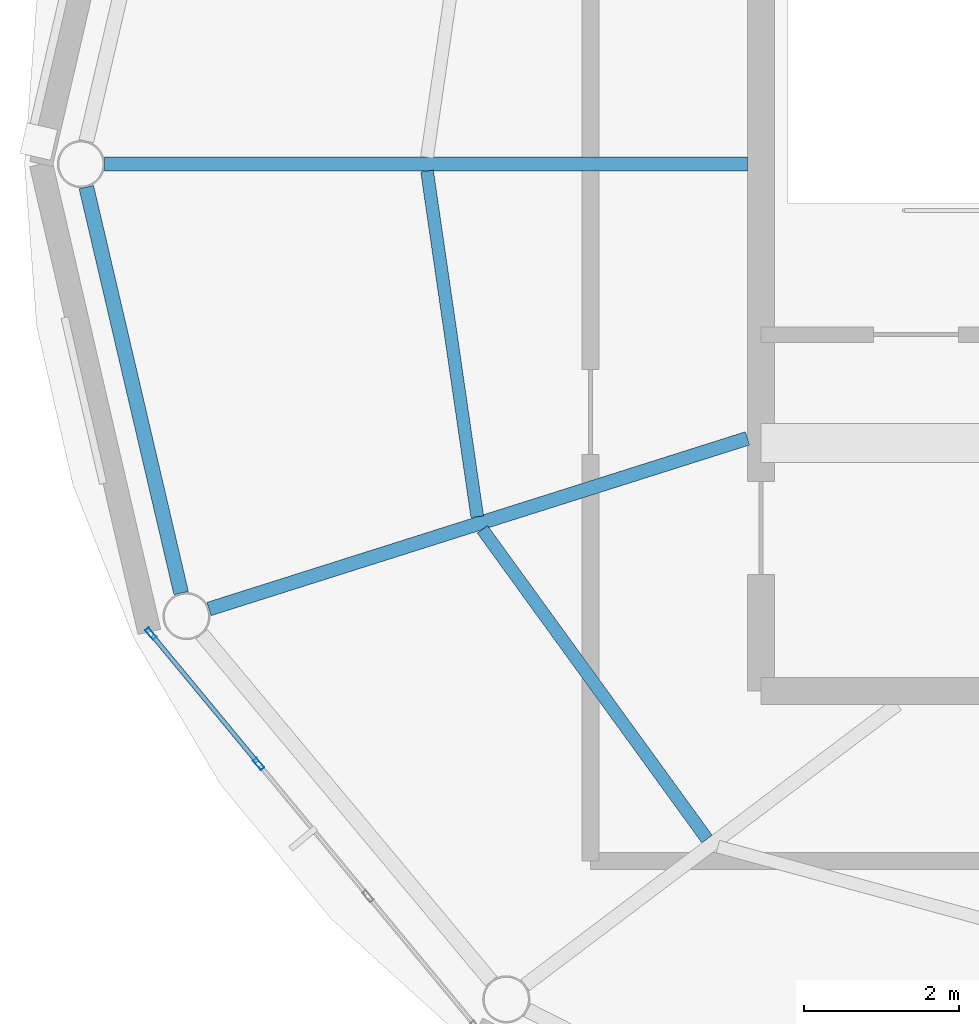
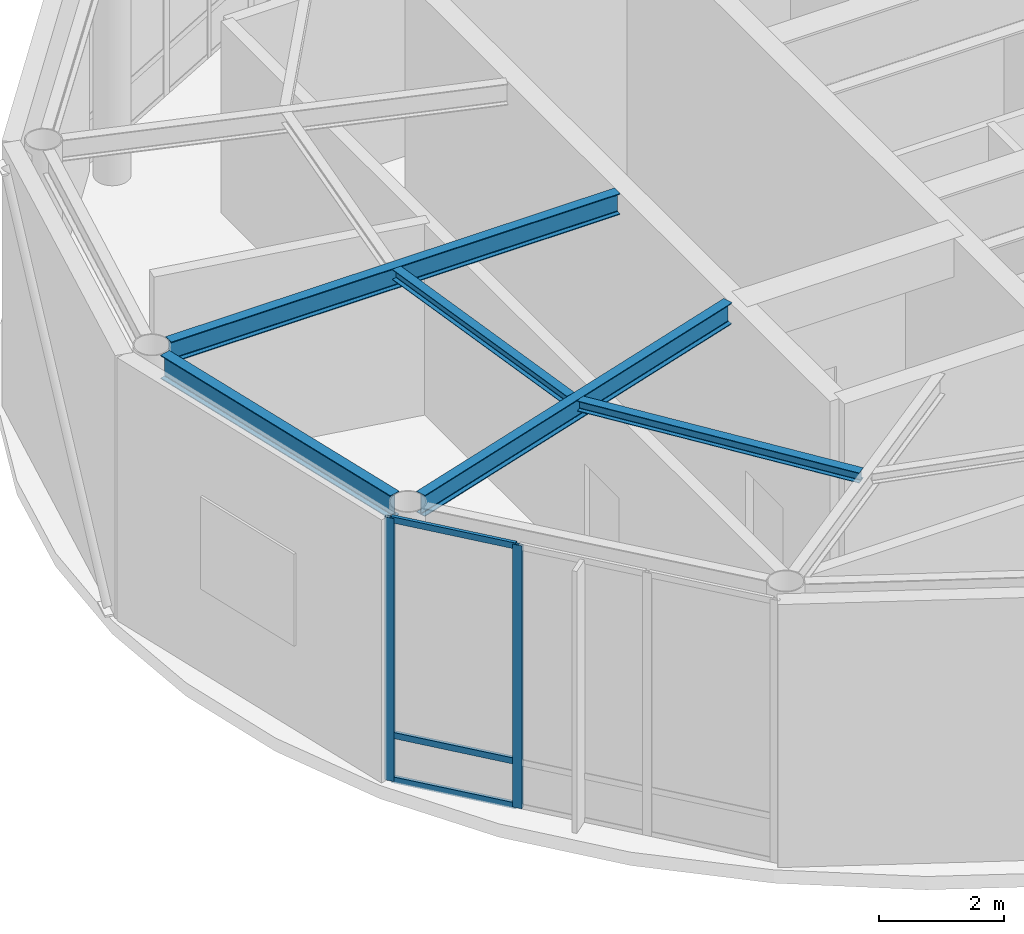
# One storey, part 3 of 14: 5 beams, 5 members, 1 element without a shape of its own.
"""IFC4 building model written with IfcOpenShell, lengths in metres."""

import ifcopenshell
import ifcopenshell.guid

model = None  # the IFC model being written
_history = None  # IfcOwnerHistory: only IFC2X3 demands one
_inside = {}  # id of a spatial element -> (the spatial element, [elements in it])
_under = {}  # id of a project, library or spatial element -> (it, [spatial elements below it])
_declared = {}  # id of a project -> (the project, [libraries it declares])
_typed = {}  # id of a type object -> (the type object, [elements of that type])
_made_of = {}  # id of a material, layer set ... -> (it, [elements and type objects made of it])


def new_model(schema):
    """Start an empty IFC model of exactly this schema.

    Asked for "IFC4X3", IfcOpenShell would pick the latest addendum, in which some entities
    have other attributes; the version numbers below select the first issue.
    IFC2X3 requires an IfcOwnerHistory on every rooted entity: one is made here for all.
    """
    global model, _history
    if schema == "IFC4X3":
        model = ifcopenshell.file(schema_version=(4, 3, 0, 0))
    else:
        model = ifcopenshell.file(schema=schema)
    _inside.clear()
    _under.clear()
    _declared.clear()
    _typed.clear()
    _made_of.clear()
    _history = None
    if model.schema == "IFC2X3":
        org = make("IfcOrganization", Name="unknown")
        user = make(
            "IfcPersonAndOrganization",
            ThePerson=make("IfcPerson", FamilyName="unknown"),
            TheOrganization=org,
        )
        app = make(
            "IfcApplication",
            ApplicationDeveloper=org,
            Version="unknown",
            ApplicationFullName="unknown",
            ApplicationIdentifier="unknown",
        )
        _history = make(
            "IfcOwnerHistory",
            OwningUser=user,
            OwningApplication=app,
            ChangeAction="ADDED",
            CreationDate=0,
        )
    return model


def make(cls, **values):
    """One entity of the class cls with the attributes given. An attribute that is None is left unset."""
    return model.create_entity(
        cls, **{name: value for name, value in values.items() if value is not None}
    )


def rooted(cls, **values):
    """An entity with a GlobalId (a new one), such as an element, a storey or a relation."""
    return make(cls, GlobalId=ifcopenshell.guid.new(), OwnerHistory=_history, **values)


def si_unit(unit_type, name, prefix=None):
    """IfcSIUnit, for example si_unit("LENGTHUNIT", "METRE", prefix="MILLI")."""
    return make("IfcSIUnit", UnitType=unit_type, Prefix=prefix, Name=name)


def assignment(units):
    """IfcUnitAssignment: the units of a project."""
    return None if units is None else make("IfcUnitAssignment", Units=units)


def point(xyz):
    """IfcCartesianPoint."""
    return None if xyz is None else make("IfcCartesianPoint", Coordinates=xyz)


def direction(xyz):
    """IfcDirection."""
    return None if xyz is None else make("IfcDirection", DirectionRatios=xyz)


def frame(location, z_axis=None, x_axis=None):
    """IfcAxis2Placement3D, a coordinate frame: its origin and axes. An axis left out is left unset."""
    return make(
        "IfcAxis2Placement3D",
        Location=point(location),
        Axis=direction(z_axis),
        RefDirection=direction(x_axis),
    )


def frame_2d(location, x_axis=None):
    """IfcAxis2Placement2D, a coordinate frame in the plane: its origin and x axis."""
    return make(
        "IfcAxis2Placement2D", Location=point(location), RefDirection=direction(x_axis)
    )


def origin():
    """The frame at (0, 0, 0) with its axes left unset."""
    return frame((0.0, 0.0, 0.0))


def origin_2d():
    """The frame at (0, 0) in the plane with its x axis left unset."""
    return frame_2d((0.0, 0.0))


def place(relative_to, where):
    """IfcLocalPlacement: puts the frame where relative to a parent placement (None: the world)."""
    return make(
        "IfcLocalPlacement", PlacementRelTo=relative_to, RelativePlacement=where
    )


def context(
    kind, dimensions, precision=None, world=None, true_north=None, identifier=None
):
    """IfcGeometricRepresentationContext, for example the 3D "Model" context."""
    return make(
        "IfcGeometricRepresentationContext",
        ContextIdentifier=identifier,
        ContextType=kind,
        CoordinateSpaceDimension=dimensions,
        Precision=precision,
        WorldCoordinateSystem=world,
        TrueNorth=true_north,
    )


def subcontext(parent, identifier, kind, view, scale=None):
    """IfcGeometricRepresentationSubContext, for example "Body" below "Model"."""
    return make(
        "IfcGeometricRepresentationSubContext",
        ContextIdentifier=identifier,
        ContextType=kind,
        ParentContext=parent,
        TargetScale=scale,
        TargetView=view,
    )


def project(units=None, contexts=None):
    """IfcProject with its units and contexts."""
    return rooted(
        "IfcProject",
        Name="project",
        RepresentationContexts=contexts,
        UnitsInContext=assignment(units),
    )


def spatial(cls, under=None, at=None, **own):
    """A site, building, storey or space (cls), placed at a placement, below another one or the project."""
    s = rooted(cls, ObjectPlacement=at, **own)
    if under is not None:
        _under.setdefault(under.id(), (under, []))[1].append(s)
    return s


def profile(cls, at=None, kind="AREA", **sizes):
    """A parametric profile (cls). Its sizes go by their IFC names, for example OverallWidth=200.0."""
    return make(cls, ProfileType=kind, Position=at, **sizes)


def hollow_rectangle(**sizes):
    """IfcRectangleHollowProfileDef."""
    return profile("IfcRectangleHollowProfileDef", **sizes)


def i_section(**sizes):
    """IfcIShapeProfileDef."""
    return profile("IfcIShapeProfileDef", **sizes)


def extrude(swept, where, along, depth):
    """IfcExtrudedAreaSolid: the profile swept, set in the frame where, extruded along a direction by depth."""
    return make(
        "IfcExtrudedAreaSolid",
        SweptArea=swept,
        Position=where,
        ExtrudedDirection=direction(along),
        Depth=depth,
    )


def shape(context_of_items, identifier, shape_type, items):
    """IfcShapeRepresentation: the items that make up one representation, for example the "Body"."""
    return make(
        "IfcShapeRepresentation",
        ContextOfItems=context_of_items,
        RepresentationIdentifier=identifier,
        RepresentationType=shape_type,
        Items=items,
    )


def material(Name=None, Category=None):
    """IfcMaterial."""
    return make("IfcMaterial", Name=Name, Category=Category)


def layer(
    of_material, thickness, ventilated=None, Name=None, Category=None, Priority=None
):
    """IfcMaterialLayer: one layer of a wall or slab, of a material (None: an air gap)."""
    return make(
        "IfcMaterialLayer",
        Material=of_material,
        LayerThickness=thickness,
        IsVentilated=ventilated,
        Name=Name,
        Category=Category,
        Priority=Priority,
    )


def layer_set(layers, Name=None):
    """IfcMaterialLayerSet."""
    return make("IfcMaterialLayerSet", MaterialLayers=layers, LayerSetName=Name)


def material_profile(
    of_material, cross_section, Name=None, Category=None, Priority=None
):
    """IfcMaterialProfile: a cross section and its material."""
    return make(
        "IfcMaterialProfile",
        Name=Name,
        Material=of_material,
        Profile=cross_section,
        Priority=Priority,
        Category=Category,
    )


def profile_set(profiles, Name=None, composite=None):
    """IfcMaterialProfileSet."""
    return make(
        "IfcMaterialProfileSet",
        Name=Name,
        MaterialProfiles=profiles,
        CompositeProfile=composite,
    )


def made_of(thing, what):
    """Note that an element or type object is made of a material, layer set ...; save() writes the relation."""
    if what is not None:
        _made_of.setdefault(what.id(), (what, []))[1].append(thing)
    return thing


def type_object(cls, material=None, **own):
    """A type object (cls), such as IfcWallType, which elements share."""
    return made_of(rooted(cls, **own), material)


def element(
    cls,
    number,
    at=None,
    inside=None,
    cuts=None,
    type_object=None,
    material=None,
    context=None,
    identifier="Body",
    shape_type=None,
    held_by="IfcProductDefinitionShape",
    body=None,
    shapes=None,
    **own,
):
    """One element of the class cls, such as IfcWall. Its Tag is "e" and its number.

    at: its placement. inside: the storey or other place that contains it. cuts: it is an
    opening in that element (IfcRelVoidsElement). A single representation is given by context,
    identifier, shape_type and body (its items); several are given by shapes. held_by: the class
    of the entity that holds the representations. save() writes the other relations.
    """
    e = rooted(cls, Tag="e%d" % number, ObjectPlacement=at, **own)
    if body is not None:
        shapes = [shape(context, identifier, shape_type, body)]
    if shapes is not None:
        e.Representation = make(held_by, Representations=shapes)
    if inside is not None:
        _inside.setdefault(inside.id(), (inside, []))[1].append(e)
    if cuts is not None:
        rooted(
            "IfcRelVoidsElement", RelatingBuildingElement=cuts, RelatedOpeningElement=e
        )
    if type_object is not None:
        _typed.setdefault(type_object.id(), (type_object, []))[1].append(e)
    return made_of(e, material)


def aggregate(whole, parts):
    """IfcRelAggregates: a whole, such as a stair, and the parts it consists of."""
    return rooted("IfcRelAggregates", RelatingObject=whole, RelatedObjects=parts)


def save(model, path):
    """Write the relations noted so far, then the file.

    IfcRelAggregates (storeys below a building ...), IfcRelContainedInSpatialStructure (elements
    in a storey), IfcRelDefinesByType, IfcRelAssociatesMaterial and IfcRelDeclares: one each for
    every whole, place, type object, material and project.
    """
    for whole, parts in _under.values():
        aggregate(whole, parts)
    for where, things in _inside.values():
        rooted(
            "IfcRelContainedInSpatialStructure",
            RelatedElements=things,
            RelatingStructure=where,
        )
    for kind, things in _typed.values():
        rooted("IfcRelDefinesByType", RelatedObjects=things, RelatingType=kind)
    for what, things in _made_of.values():
        rooted("IfcRelAssociatesMaterial", RelatedObjects=things, RelatingMaterial=what)
    for by, libraries in _declared.values():
        rooted("IfcRelDeclares", RelatingContext=by, RelatedDefinitions=libraries)
    model.write(path)


model = new_model("IFC4")

# Units and contexts
model_context = context("Model", 3, precision=1e-05, world=origin(), true_north=direction((0.0, 1.0)))
body_context = subcontext(model_context, "Body", "Model", "MODEL_VIEW")
ifc_project = project(units=[si_unit("LENGTHUNIT", "METRE"), si_unit("AREAUNIT", "SQUARE_METRE"), si_unit("VOLUMEUNIT", "CUBIC_METRE"), si_unit("PLANEANGLEUNIT", "RADIAN"), si_unit("MASSUNIT", "GRAM", prefix="KILO")], contexts=[model_context])

# Site, building, storey
site_placement = place(None, origin())
site = spatial("IfcSite", under=ifc_project, at=site_placement, CompositionType="ELEMENT")
building_placement = place(site_placement, origin())
building = spatial("IfcBuilding", under=site, at=building_placement, Name="Sarneth Arch Tower", CompositionType="ELEMENT")
storey_placement = place(building_placement, frame((0.0, 0.0, 321.60009765625)))
storey = spatial("IfcBuildingStorey", under=building, at=storey_placement, Name="L83", CompositionType="ELEMENT", Elevation=321.60009765625)

# Beams
ifc_material_1 = material(Name="Steel S355", Category="steel")
ifc_material_profile_1 = material_profile(ifc_material_1, i_section(OverallWidth=0.1650390625, OverallDepth=0.200927734375, WebThickness=0.006103515625, FlangeThickness=0.01025390625, FilletRadius=0.010009765625, at=origin_2d()), Name="W200x35.9")
ifc_profile_set_1 = profile_set([ifc_material_profile_1], Name="Steel S355")
beam_type_1 = type_object("IfcBeamType", Name="BM-JOIST-200", PredefinedType="JOIST", material=ifc_profile_set_1)
beam_1_placement = place(storey_placement, frame((32.687744140625, 41.910888671875, 5.039306640625), z_axis=(0.143747114528, -0.989614453747, 0.0), x_axis=(0.989614453747, 0.143747114528, 0.0)))
element("IfcBeam", 1, at=beam_1_placement, inside=storey, type_object=beam_type_1, Name="L83 Secondary floor joist 09", PredefinedType="JOIST", context=body_context, shape_type="SweptSolid", body=[
    extrude(i_section(OverallWidth=0.1650390625, OverallDepth=0.200927734375, WebThickness=0.006103515625, FlangeThickness=0.01025390625, FilletRadius=0.010009765625, at=origin_2d()), origin(), (0.0, 0.0, 1.0), 4.510986328125),
])
beam_2_placement = place(storey_placement, frame((33.402099609375, 37.28466796875, 5.039306640625), z_axis=(0.587186987897, -0.809451321109, 0.0), x_axis=(0.809451321109, 0.587186987897, 0.0)))
element("IfcBeam", 2, at=beam_2_placement, inside=storey, type_object=beam_type_1, Name="L83 Secondary floor joist 10", PredefinedType="JOIST", context=body_context, shape_type="SweptSolid", body=[
    extrude(i_section(OverallWidth=0.1650390625, OverallDepth=0.200927734375, WebThickness=0.006103515625, FlangeThickness=0.01025390625, FilletRadius=0.010009765625, at=origin_2d()), origin(), (0.0, 0.0, 1.0), 4.940673828125),
])
ifc_material_2 = material(Name="Steel S355", Category="steel")
ifc_material_profile_2 = material_profile(ifc_material_2, i_section(OverallWidth=0.179931640625, OverallDepth=0.4130859375, WebThickness=0.009765625, FlangeThickness=0.01611328125, FilletRadius=0.01611328125, at=origin_2d()), Name="W410x75")
ifc_profile_set_2 = profile_set([ifc_material_profile_2], Name="Steel S355")
beam_type_2 = type_object("IfcBeamType", Name="BM-RAD-410B", PredefinedType="BEAM", material=ifc_profile_set_2)
beam_3_placement = place(storey_placement, frame((36.824951171875, 42.0, 4.933349609375), z_axis=(-1.0, 0.0, 0.0), x_axis=(0.0, -1.0, 0.0)))
element("IfcBeam", 3, at=beam_3_placement, inside=storey, type_object=beam_type_2, Name="L83 Radial floor girder 09", PredefinedType="BEAM", context=body_context, shape_type="SweptSolid", body=[
    extrude(i_section(OverallWidth=0.179931640625, OverallDepth=0.4130859375, WebThickness=0.009765625, FlangeThickness=0.01611328125, FilletRadius=0.01611328125, at=origin_2d()), origin(), (0.0, 0.0, 1.0), 8.300048828125),
])
beam_4_placement = place(storey_placement, frame((36.824951171875, 38.458984375, 4.933349609375), z_axis=(-0.953282145376, -0.302081365376, 0.0), x_axis=(0.302081365376, -0.953282145376, 0.0)))
element("IfcBeam", 4, at=beam_4_placement, inside=storey, type_object=beam_type_2, Name="L83 Radial floor girder 10", PredefinedType="BEAM", context=body_context, shape_type="SweptSolid", body=[
    extrude(i_section(OverallWidth=0.179931640625, OverallDepth=0.4130859375, WebThickness=0.009765625, FlangeThickness=0.01611328125, FilletRadius=0.01611328125, at=origin_2d()), origin(), (0.0, 0.0, 1.0), 7.292236328125),
])
ifc_material_3 = material(Name="Steel S355", Category="steel")
ifc_material_profile_3 = material_profile(ifc_material_3, i_section(OverallWidth=0.19189453125, OverallDepth=0.462890625, WebThickness=0.010498046875, FlangeThickness=0.017578125, FilletRadius=0.01806640625, at=origin_2d()), Name="W460x89")
ifc_profile_set_3 = profile_set([ifc_material_profile_3], Name="Steel S355")
beam_type_3 = type_object("IfcBeamType", Name="BM-RAD-460B", PredefinedType="BEAM", material=ifc_profile_set_3)
beam_5_placement = place(storey_placement, frame((28.2890625, 41.702880859375, 4.908447265625), z_axis=(0.227416006803, -0.973797699653, 0.0), x_axis=(0.973797699653, 0.227416006803, 0.0)))
element("IfcBeam", 5, at=beam_5_placement, inside=storey, type_object=beam_type_3, Name="L83 Perimeter spandrel beam 09", PredefinedType="BEAM", context=body_context, shape_type="SweptSolid", body=[
    extrude(i_section(OverallWidth=0.19189453125, OverallDepth=0.462890625, WebThickness=0.010498046875, FlangeThickness=0.017578125, FilletRadius=0.01806640625, at=origin_2d()), origin(), (0.0, 0.0, 1.0), 5.3828125),
])

# Curtain wall, members
ifc_material_4 = material(Name="Anodised aluminium Type AA25 and solar-control low-e laminated IGU", Category="aluminium")
ifc_layer = layer(ifc_material_4, 0.18994140625)
ifc_layer_set = layer_set([ifc_layer], Name="Anodised aluminium Type AA25 and solar-control low-e laminated IGU")
curtain_wall_type = type_object("IfcCurtainWallType", Name="CW-CROWN-DRUM", PredefinedType="NOTDEFINED", material=ifc_layer_set)
curtain_wall_placement = place(storey_placement, origin())
curtain_wall = element("IfcCurtainWall", 6, at=curtain_wall_placement, inside=storey, type_object=curtain_wall_type, Name="L83 Unitised curtain wall facet 10", PredefinedType="NOTDEFINED")
ifc_material_5 = material(Name="Anodised Aluminium 6063-T6", Category="aluminium")
ifc_material_profile_4 = material_profile(ifc_material_5, hollow_rectangle(XDim=0.06005859375, YDim=0.159912109375, WallThickness=0.00390625, at=origin_2d()), Name="AL-MULL-160x60x4")
ifc_profile_set_4 = profile_set([ifc_material_profile_4], Name="Anodised Aluminium 6063-T6")
member_type_1 = type_object("IfcMemberType", Name="CW-MULLION", PredefinedType="MULLION", material=ifc_profile_set_4)
member_1_placement = place(storey_placement, frame((29.1220703125, 35.938232421875, 0.0), z_axis=(0.0, 0.0, 1.0), x_axis=(0.770446291962, 0.637504910728, 0.0)))
member_1 = element("IfcMember", 7, at=member_1_placement, type_object=member_type_1, Name="CW-SYS-7 mullion 1", PredefinedType="MULLION", context=body_context, shape_type="SweptSolid", body=[
    extrude(hollow_rectangle(XDim=0.06005859375, YDim=0.159912109375, WallThickness=0.00390625, at=origin_2d()), origin(), (0.0, 0.0, 1.0), 5.139892578125),
])
member_2_placement = place(storey_placement, frame((30.514892578125, 34.2548828125, 0.0), z_axis=(0.0, 0.0, 1.0), x_axis=(0.770446291962, 0.637504910728, 0.0)))
member_2 = element("IfcMember", 8, at=member_2_placement, type_object=member_type_1, Name="CW-SYS-7 mullion 2", PredefinedType="MULLION", context=body_context, shape_type="SweptSolid", body=[
    extrude(hollow_rectangle(XDim=0.06005859375, YDim=0.159912109375, WallThickness=0.00390625, at=origin_2d()), origin(), (0.0, 0.0, 1.0), 5.139892578125),
])
ifc_material_6 = material(Name="Anodised Aluminium 6063-T6", Category="aluminium")
ifc_material_profile_5 = material_profile(ifc_material_6, hollow_rectangle(XDim=0.06005859375, YDim=0.1201171875, WallThickness=0.00390625, at=origin_2d()), Name="AL-TRAN-120x60x4")
ifc_profile_set_5 = profile_set([ifc_material_profile_5], Name="Anodised Aluminium 6063-T6")
member_type_2 = type_object("IfcMemberType", Name="CW-TRANSOM", PredefinedType="USERDEFINED", material=ifc_profile_set_5)
member_3_placement = place(storey_placement, frame((29.14111328125, 35.9150390625, 0.02978515625), z_axis=(0.637513633204, -0.770439074476, 0.0), x_axis=(0.770439074476, 0.637513633204, 0.0)))
member_3 = element("IfcMember", 9, at=member_3_placement, type_object=member_type_2, Name="CW-SYS-7 transom 1.1", ObjectType="TRANSOM", PredefinedType="USERDEFINED", context=body_context, shape_type="SweptSolid", body=[
    extrude(hollow_rectangle(XDim=0.06005859375, YDim=0.1201171875, WallThickness=0.00390625, at=origin_2d()), origin(), (0.0, 0.0, 1.0), 2.125),
])
member_4_placement = place(storey_placement, frame((29.14111328125, 35.9150390625, 0.89990234375), z_axis=(0.637513633204, -0.770439074476, 0.0), x_axis=(0.770439074476, 0.637513633204, 0.0)))
member_4 = element("IfcMember", 10, at=member_4_placement, type_object=member_type_2, Name="CW-SYS-7 transom 1.2", ObjectType="TRANSOM", PredefinedType="USERDEFINED", context=body_context, shape_type="SweptSolid", body=[
    extrude(hollow_rectangle(XDim=0.06005859375, YDim=0.1201171875, WallThickness=0.00390625, at=origin_2d()), origin(), (0.0, 0.0, 1.0), 2.125),
])
member_5_placement = place(storey_placement, frame((29.14111328125, 35.9150390625, 5.10986328125), z_axis=(0.637513633204, -0.770439074476, 0.0), x_axis=(0.770439074476, 0.637513633204, 0.0)))
member_5 = element("IfcMember", 11, at=member_5_placement, type_object=member_type_2, Name="CW-SYS-7 transom 1.3", ObjectType="TRANSOM", PredefinedType="USERDEFINED", context=body_context, shape_type="SweptSolid", body=[
    extrude(hollow_rectangle(XDim=0.06005859375, YDim=0.1201171875, WallThickness=0.00390625, at=origin_2d()), origin(), (0.0, 0.0, 1.0), 2.125),
])
aggregate(curtain_wall, [member_1, member_2, member_3, member_4, member_5])

save(model, "model.ifc")
